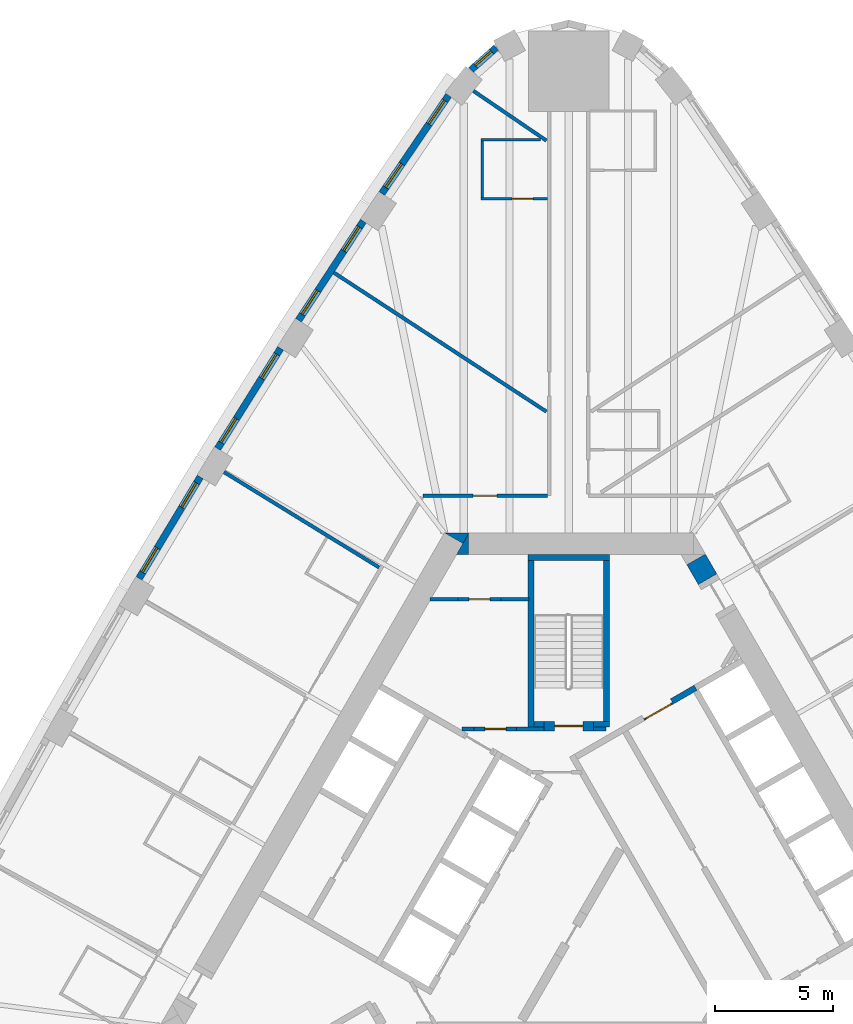
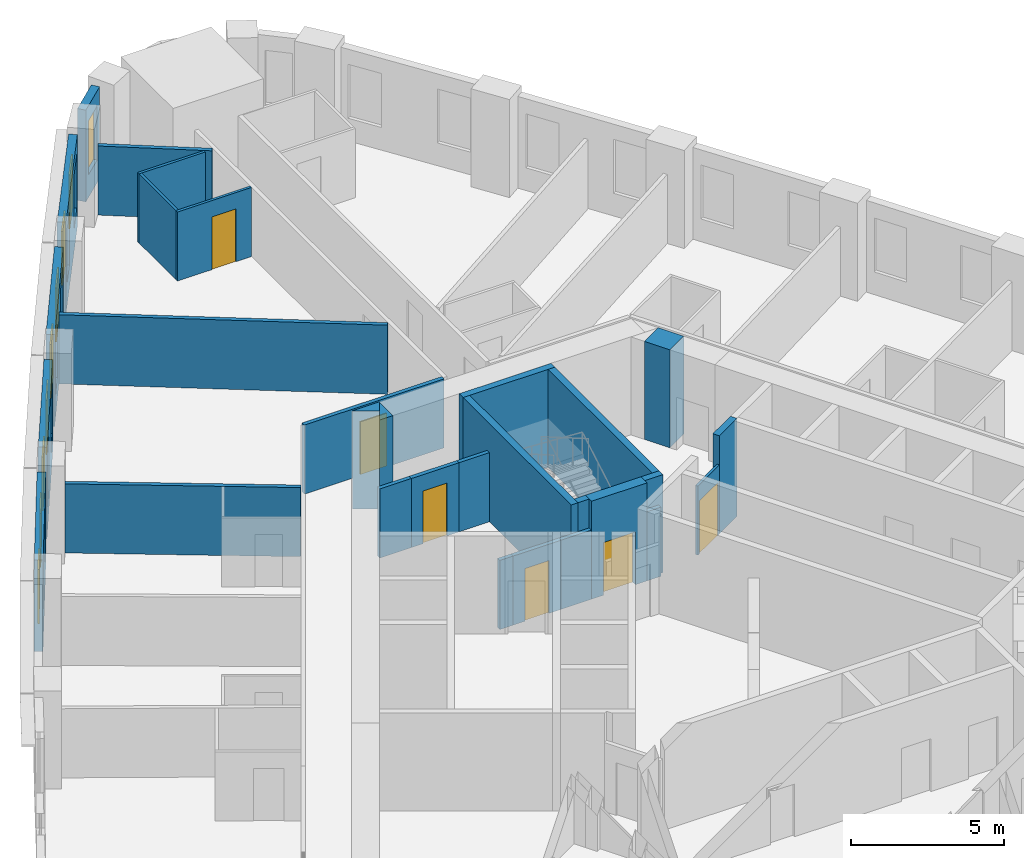
# One storey, part 9 of 12: 30 walls, 9 windows, 6 doors, 15 openings.
"""IFC4 building model written with IfcOpenShell, lengths in metres."""

from ifc_helpers import new_model, si_unit, direction, frame, frame_2d, origin, place, context, subcontext, project, spatial, polyline, rectangle, outline, extrude, material, layer, layer_set, type_object, element, fill, save


model = new_model("IFC4")

# Units and contexts
model_context = context("Model", 3, precision=1e-05, world=origin(), true_north=direction((0.0, 1.0)))
body_context = subcontext(model_context, "Body", "Model", "MODEL_VIEW")
ifc_project = project(units=[si_unit("LENGTHUNIT", "METRE"), si_unit("AREAUNIT", "SQUARE_METRE"), si_unit("VOLUMEUNIT", "CUBIC_METRE"), si_unit("PLANEANGLEUNIT", "RADIAN"), si_unit("MASSUNIT", "GRAM", prefix="KILO")], contexts=[model_context])

# Site, building, storey
site_placement = place(None, origin())
site = spatial("IfcSite", under=ifc_project, at=site_placement, CompositionType="ELEMENT")
building_placement = place(site_placement, origin())
building = spatial("IfcBuilding", under=site, at=building_placement, Name="Mestral Congress Tower", CompositionType="ELEMENT")
storey_placement = place(building_placement, frame((0.0, 0.0, 39.300048828125)))
storey = spatial("IfcBuildingStorey", under=building, at=storey_placement, Name="L08", CompositionType="ELEMENT", Elevation=39.300048828125)

# Walls
ifc_material_1 = material(Name="Fire-rated board partition")
ifc_layer_1 = layer(ifc_material_1, 0.14990234375)
ifc_layer_set_1 = layer_set([ifc_layer_1], Name="Fire-rated board partition")
wall_type_1 = type_object("IfcWallType", Name="Core partition 150", PredefinedType="PARTITIONING", material=ifc_layer_set_1)
wall_1_placement = place(storey_placement, frame((-3.99658203125, 8.625244140625, 0.0), z_axis=(0.0, 0.0, 1.0), x_axis=(-1.0, 0.0, 0.0)))
element("IfcWall", 1, at=wall_1_placement, inside=storey, type_object=wall_type_1, Name="L08 core wall", PredefinedType="PARTITIONING", context=body_context, shape_type="SweptSolid", body=[
    extrude(rectangle(XDim=0.502197265625, YDim=0.14990234375, at=frame_2d((0.2509765625, 0.0))), origin(), (0.0, 0.0, 1.0), 2.75),
])
wall_2_placement = place(storey_placement, frame((-2.1962890625, 8.62548828125, 0.0), z_axis=(0.0, 0.0, 1.0), x_axis=(1.0, 0.0, 0.0)))
element("IfcWall", 2, at=wall_2_placement, inside=storey, type_object=wall_type_1, Name="L08 core wall", PredefinedType="PARTITIONING", context=body_context, shape_type="SweptSolid", body=[
    extrude(rectangle(XDim=1.146240234375, YDim=0.14990234375, at=frame_2d((0.5732421875, 0.0))), origin(), (0.0, 0.0, 1.0), 2.75),
])
wall_3_placement = place(storey_placement, frame((-5.85107421875, 14.10205078125, 0.0), z_axis=(0.0, 0.0, 1.0), x_axis=(1.0, 0.0, 0.0)))
element("IfcWall", 3, at=wall_3_placement, inside=storey, type_object=wall_type_1, Name="L08 core wall", PredefinedType="PARTITIONING", context=body_context, shape_type="SweptSolid", body=[
    extrude(rectangle(XDim=1.18017578125, YDim=0.14990234375, at=frame_2d((0.590087890625, 0.0))), origin(), (0.0, 0.0, 1.0), 2.75),
])
wall_4_placement = place(storey_placement, frame((-2.87060546875, 14.10205078125, 0.0), z_axis=(0.0, 0.0, 1.0), x_axis=(1.0, 0.0, 0.0)))
element("IfcWall", 4, at=wall_4_placement, inside=storey, type_object=wall_type_1, Name="L08 core wall", PredefinedType="PARTITIONING", context=body_context, shape_type="SweptSolid", body=[
    extrude(rectangle(XDim=1.195556640625, YDim=0.14990234375, at=frame_2d((0.59765625, 0.0))), origin(), (0.0, 0.0, 1.0), 2.75),
])
wall_5_placement = place(storey_placement, frame((1.050048828125, 8.62548828125, 0.0), z_axis=(0.0, 0.0, 1.0), x_axis=(1.0, 0.0, 0.0)))
element("IfcWall", 5, at=wall_5_placement, inside=storey, type_object=wall_type_1, Name="L08 core wall", PredefinedType="PARTITIONING", context=body_context, shape_type="SweptSolid", body=[
    extrude(rectangle(XDim=0.513916015625, YDim=0.14990234375, at=frame_2d((0.2568359375, 0.0))), origin(), (0.0, 0.0, 1.0), 2.75),
])

# Wall, opening, door
wall_6_placement = place(storey_placement, frame((-2.1962890625, 8.625, 0.0), z_axis=(0.0, 0.0, 1.0), x_axis=(-1.0, 0.0, 0.0)))
wall_6 = element("IfcWall", 6, at=wall_6_placement, inside=storey, type_object=wall_type_1, Name="L08 door wall", PredefinedType="PARTITIONING", context=body_context, shape_type="SweptSolid", body=[
    extrude(rectangle(XDim=1.800048828125, YDim=0.14990234375, at=frame_2d((0.89990234375, 0.0))), origin(), (0.0, 0.0, 1.0), 2.75),
])
opening_1_placement = place(wall_6_placement, frame((0.449951171875, 0.0, 0.0)))
opening_1 = element("IfcOpeningElement", 7, at=opening_1_placement, cuts=wall_6, Name="Opening TD2", PredefinedType="OPENING", context=body_context, shape_type="SweptSolid", body=[
    extrude(rectangle(XDim=0.89990234375, YDim=2.10009765625, at=frame_2d((0.449951171875, 1.050048828125))), frame((0.0, 0.0849609375, 0.0), z_axis=(0.0, -1.0, 0.0), x_axis=(1.0, 0.0, 0.0)), (0.0, 0.0, 1.0), 0.169921875),
])
ifc_material_2 = material(Name="Fire-rated steel door set", Category="steel")
door_type_1 = type_object("IfcDoorType", Name="Core door SR 900x2100", OperationType="SINGLE_SWING_LEFT", PredefinedType="DOOR", material=ifc_material_2)
door_1_placement = place(opening_1_placement, origin())
door_1 = element("IfcDoor", 8, at=door_1_placement, inside=storey, type_object=door_type_1, Name="Door TD2", OperationType="SINGLE_SWING_LEFT", OverallHeight=2.10009765625, OverallWidth=0.89990234375, PredefinedType="DOOR", context=body_context, shape_type="SweptSolid", body=[
    extrude(rectangle(XDim=0.89990234375, YDim=2.10009765625, at=frame_2d((0.449951171875, 1.050048828125))), frame((0.0, 0.02490234375, 0.0), z_axis=(0.0, -1.0, 0.0), x_axis=(1.0, 0.0, 0.0)), (0.0, 0.0, 1.0), 0.050048828125),
])
fill(opening_1, door_1)

wall_7_placement = place(storey_placement, frame((-2.870849609375, 14.10205078125, 0.0), z_axis=(0.0, 0.0, 1.0), x_axis=(-1.0, 0.0, 0.0)))
wall_7 = element("IfcWall", 9, at=wall_7_placement, inside=storey, type_object=wall_type_1, Name="L08 door wall", PredefinedType="PARTITIONING", context=body_context, shape_type="SweptSolid", body=[
    extrude(rectangle(XDim=1.800048828125, YDim=0.14990234375, at=frame_2d((0.89990234375, 0.0))), origin(), (0.0, 0.0, 1.0), 2.75),
])
opening_2_placement = place(wall_7_placement, frame((0.449951171875, 0.0, 0.0)))
opening_2 = element("IfcOpeningElement", 10, at=opening_2_placement, cuts=wall_7, Name="Opening SD-WS2", PredefinedType="OPENING", context=body_context, shape_type="SweptSolid", body=[
    extrude(rectangle(XDim=0.89990234375, YDim=2.10009765625, at=frame_2d((0.449951171875, 1.050048828125))), frame((0.0, 0.0849609375, 0.0), z_axis=(0.0, -1.0, 0.0), x_axis=(1.0, 0.0, 0.0)), (0.0, 0.0, 1.0), 0.169921875),
])
door_2_placement = place(opening_2_placement, origin())
door_2 = element("IfcDoor", 11, at=door_2_placement, inside=storey, type_object=door_type_1, Name="Door SD-WS2", OperationType="SINGLE_SWING_LEFT", OverallHeight=2.10009765625, OverallWidth=0.89990234375, PredefinedType="DOOR", context=body_context, shape_type="SweptSolid", body=[
    extrude(rectangle(XDim=0.89990234375, YDim=2.10009765625, at=frame_2d((0.449951171875, 1.050048828125))), frame((0.0, 0.02490234375, 0.0), z_axis=(0.0, -1.0, 0.0), x_axis=(1.0, 0.0, 0.0)), (0.0, 0.0, 1.0), 0.050048828125),
])
fill(opening_2, door_2)

ifc_layer_2 = layer(ifc_material_1, 0.090087890625)
ifc_layer_set_2 = layer_set([ifc_layer_2], Name="Fire-rated board partition")
wall_type_2 = type_object("IfcWallType", Name="Core partition 150 door-wall 90", PredefinedType="PARTITIONING", material=ifc_layer_set_2)
wall_8_placement = place(storey_placement, frame((3.182861328125, 9.02001953125, 0.0), z_axis=(0.0, 0.0, 1.0), x_axis=(0.866034573852, 0.49998411664, 0.0)))
wall_8 = element("IfcWall", 12, at=wall_8_placement, inside=storey, type_object=wall_type_2, Name="L08 door wall", PredefinedType="PARTITIONING", context=body_context, shape_type="SweptSolid", body=[
    extrude(rectangle(XDim=1.39990234375, YDim=0.090087890625, at=frame_2d((0.699951171875, 0.0))), origin(), (0.0, 0.0, 1.0), 2.75),
])
opening_3_placement = place(wall_8_placement, frame((0.10009765625, 0.0, 0.0)))
opening_3 = element("IfcOpeningElement", 13, at=opening_3_placement, cuts=wall_8, Name="Opening LB1-WL2", PredefinedType="OPENING", context=body_context, shape_type="SweptSolid", body=[
    extrude(rectangle(XDim=1.199951171875, YDim=2.10009765625, at=frame_2d((0.60009765625, 1.050048828125))), frame((0.0, 0.054931640625, 0.0), z_axis=(0.0, -1.0, 0.0), x_axis=(1.0, 0.0, 0.0)), (0.0, 0.0, 1.0), 0.110107421875),
])
door_type_2 = type_object("IfcDoorType", Name="Core door LB 1200x2100", OperationType="SINGLE_SWING_LEFT", PredefinedType="DOOR", material=ifc_material_2)
door_3_placement = place(opening_3_placement, origin())
door_3 = element("IfcDoor", 14, at=door_3_placement, inside=storey, type_object=door_type_2, Name="Door LB1-WL2", OperationType="SINGLE_SWING_LEFT", OverallHeight=2.10009765625, OverallWidth=1.199951171875, PredefinedType="DOOR", context=body_context, shape_type="SweptSolid", body=[
    extrude(rectangle(XDim=1.199951171875, YDim=2.10009765625, at=frame_2d((0.60009765625, 1.050048828125))), frame((0.0, 0.02490234375, 0.0), z_axis=(0.0, -1.0, 0.0), x_axis=(1.0, 0.0, 0.0)), (0.0, 0.0, 1.0), 0.050048828125),
])
fill(opening_3, door_3)

# Walls
ifc_material_3 = material(Name="Concrete C60/75", Category="concrete")
ifc_layer_3 = layer(ifc_material_3, 0.89990234375)
ifc_layer_set_3 = layer_set([ifc_layer_3], Name="Concrete C60/75")
wall_type_3 = type_object("IfcWallType", Name="Core wall RC 900", PredefinedType="SOLIDWALL", material=ifc_layer_set_3)
placement = place(storey_placement, origin())
element("IfcWall", 15, at=placement, inside=storey, type_object=wall_type_3, Name="L08 core wall", PredefinedType="SOLIDWALL", context=body_context, shape_type="SweptSolid", body=[
    extrude(outline(polyline([(-4.214599609375, 16.89990234375), (-4.46875, 16.460205078125), (-5.230712890625, 16.89990234375), (-4.214599609375, 16.89990234375)])), origin(), (0.0, 0.0, 1.0), 3.89990234375),
])
element("IfcWall", 16, at=placement, inside=storey, type_object=wall_type_3, Name="L08 core wall", PredefinedType="SOLIDWALL", context=body_context, shape_type="SweptSolid", body=[
    extrude(outline(polyline([(-4.734375, 16.0), (-4.226318359375, 16.8798828125), (-4.226318359375, 16.0), (-4.734375, 16.0)])), origin(), (0.0, 0.0, 1.0), 3.89990234375),
])
wall_11_placement = place(storey_placement, frame((5.86083984375, 14.94873046875, 0.0), z_axis=(0.0, 0.0, 1.0), x_axis=(-0.50011719232, 0.865957732194, 0.0)))
element("IfcWall", 17, at=wall_11_placement, inside=storey, type_object=wall_type_3, Name="L08 core wall", PredefinedType="SOLIDWALL", context=body_context, shape_type="SweptSolid", body=[
    extrude(rectangle(XDim=0.963623046875, YDim=0.89990234375, at=frame_2d((0.48193359375, 0.0))), origin(), (0.0, 0.0, 1.0), 3.89990234375),
])

# Wall, opening, window
ifc_material_4 = material(Name="Precast concrete C40/50 with limestone facing", Category="masonry")
ifc_layer_4 = layer(ifc_material_4, 0.2900390625)
ifc_layer_set_4 = layer_set([ifc_layer_4], Name="Precast concrete C40/50 with limestone facing")
wall_type_4 = type_object("IfcWallType", Name="Facade stone wall 290", PredefinedType="SOLIDWALL", material=ifc_layer_set_4)
wall_12_placement = place(storey_placement, frame((-3.064453125, 37.395263671875, 0.0), z_axis=(0.0, 0.0, 1.0), x_axis=(-0.749812680302, -0.661650167731, 0.0)))
wall_12 = element("IfcWall", 18, at=wall_12_placement, inside=storey, type_object=wall_type_4, Name="Facade wall K1-3", PredefinedType="SOLIDWALL", context=body_context, shape_type="SweptSolid", body=[
    extrude(rectangle(XDim=1.4150390625, YDim=0.2900390625, at=frame_2d((0.70751953125, 0.0))), origin(), (0.0, 0.0, 1.0), 3.64990234375),
])
opening_4_placement = place(wall_12_placement, frame((0.257568359375, 0.0, 0.89990234375)))
opening_4 = element("IfcOpeningElement", 19, at=opening_4_placement, cuts=wall_12, Name="Opening W3", PredefinedType="OPENING", context=body_context, shape_type="SweptSolid", body=[
    extrude(rectangle(XDim=0.89990234375, YDim=2.14990234375, at=frame_2d((0.449951171875, 1.074951171875))), frame((0.0, 0.155029296875, 0.0), z_axis=(0.0, -1.0, 0.0), x_axis=(1.0, 0.0, 0.0)), (0.0, 0.0, 1.0), 0.31005859375),
])
ifc_material_5 = material(Name="Clear low-emissivity double glazing", Category="glass")
window_type_1 = type_object("IfcWindowType", Name="Facade punched window 900 x 2150 sill 900", PartitioningType="SINGLE_PANEL", PredefinedType="WINDOW", material=ifc_material_5)
window_1_placement = place(opening_4_placement, origin())
window_1 = element("IfcWindow", 20, at=window_1_placement, inside=storey, type_object=window_type_1, Name="Window K1-3", OverallHeight=2.14990234375, OverallWidth=0.89990234375, PartitioningType="SINGLE_PANEL", PredefinedType="WINDOW", context=body_context, shape_type="SweptSolid", body=[
    extrude(rectangle(XDim=0.89990234375, YDim=2.14990234375, at=frame_2d((0.449951171875, 1.074951171875))), frame((0.0, 0.01513671875, 0.0), z_axis=(0.0, -1.0, 0.0), x_axis=(1.0, 0.0, 0.0)), (0.0, 0.0, 1.0), 0.06005859375),
])
fill(opening_4, window_1)

# Wall, openings, windows
wall_13_placement = place(storey_placement, frame((-5.078369140625, 35.37646484375, 0.0), z_axis=(0.0, 0.0, 1.0), x_axis=(-0.562610153679, -0.826722332454, 0.0)))
wall_13 = element("IfcWall", 21, at=wall_13_placement, inside=storey, type_object=wall_type_4, Name="Facade wall F2-00", PredefinedType="SOLIDWALL", context=body_context, shape_type="SweptSolid", body=[
    extrude(rectangle(XDim=5.005615234375, YDim=0.2900390625, at=frame_2d((2.5029296875, 0.0))), origin(), (0.0, 0.0, 1.0), 3.64990234375),
])
opening_5_placement = place(wall_13_placement, frame((0.26513671875, 0.0, 0.89990234375)))
opening_5 = element("IfcOpeningElement", 22, at=opening_5_placement, cuts=wall_13, Name="Opening W1", PredefinedType="OPENING", context=body_context, shape_type="SweptSolid", body=[
    extrude(rectangle(XDim=1.199951171875, YDim=2.14990234375, at=frame_2d((0.60009765625, 1.074951171875))), frame((0.0, 0.155029296875, 0.0), z_axis=(0.0, -1.0, 0.0), x_axis=(1.0, 0.0, 0.0)), (0.0, 0.0, 1.0), 0.31005859375),
])
opening_6_placement = place(wall_13_placement, frame((3.495361328125, 0.0, 0.89990234375)))
opening_6 = element("IfcOpeningElement", 23, at=opening_6_placement, cuts=wall_13, Name="Opening W1", PredefinedType="OPENING", context=body_context, shape_type="SweptSolid", body=[
    extrude(rectangle(XDim=1.199951171875, YDim=2.14990234375, at=frame_2d((0.60009765625, 1.074951171875))), frame((0.0, 0.155029296875, 0.0), z_axis=(0.0, -1.0, 0.0), x_axis=(1.0, 0.0, 0.0)), (0.0, 0.0, 1.0), 0.31005859375),
])
window_type_2 = type_object("IfcWindowType", Name="Facade punched window 1200 x 2150 sill 900", PartitioningType="DOUBLE_PANEL_VERTICAL", PredefinedType="WINDOW", material=ifc_material_5)
window_2_placement = place(opening_5_placement, origin())
window_2 = element("IfcWindow", 24, at=window_2_placement, inside=storey, type_object=window_type_2, Name="Window F2-00a", OverallHeight=2.14990234375, OverallWidth=1.199951171875, PartitioningType="DOUBLE_PANEL_VERTICAL", PredefinedType="WINDOW", context=body_context, shape_type="SweptSolid", body=[
    extrude(rectangle(XDim=1.199951171875, YDim=2.14990234375, at=frame_2d((0.60009765625, 1.074951171875))), frame((0.0, 0.01513671875, 0.0), z_axis=(0.0, -1.0, 0.0), x_axis=(1.0, 0.0, 0.0)), (0.0, 0.0, 1.0), 0.06005859375),
])
fill(opening_5, window_2)
window_3_placement = place(opening_6_placement, origin())
window_3 = element("IfcWindow", 25, at=window_3_placement, inside=storey, type_object=window_type_2, Name="Window F2-00b", OverallHeight=2.14990234375, OverallWidth=1.199951171875, PartitioningType="DOUBLE_PANEL_VERTICAL", PredefinedType="WINDOW", context=body_context, shape_type="SweptSolid", body=[
    extrude(rectangle(XDim=1.199951171875, YDim=2.14990234375, at=frame_2d((0.60009765625, 1.074951171875))), frame((0.0, 0.01513671875, 0.0), z_axis=(0.0, -1.0, 0.0), x_axis=(1.0, 0.0, 0.0)), (0.0, 0.0, 1.0), 0.06005859375),
])
fill(opening_6, window_3)

wall_14_placement = place(storey_placement, frame((-8.675537109375, 30.067626953125, 0.0), z_axis=(0.0, 0.0, 1.0), x_axis=(-0.547204617628, -0.836998868845, 0.0)))
wall_14 = element("IfcWall", 26, at=wall_14_placement, inside=storey, type_object=wall_type_4, Name="Facade wall F2-01", PredefinedType="SOLIDWALL", context=body_context, shape_type="SweptSolid", body=[
    extrude(rectangle(XDim=4.998291015625, YDim=0.2900390625, at=frame_2d((2.4990234375, 0.0))), origin(), (0.0, 0.0, 1.0), 3.64990234375),
])
opening_7_placement = place(wall_14_placement, frame((0.297119140625, 0.0, 0.89990234375)))
opening_7 = element("IfcOpeningElement", 27, at=opening_7_placement, cuts=wall_14, Name="Opening W1", PredefinedType="OPENING", context=body_context, shape_type="SweptSolid", body=[
    extrude(rectangle(XDim=1.199951171875, YDim=2.14990234375, at=frame_2d((0.60009765625, 1.074951171875))), frame((0.0, 0.155029296875, 0.0), z_axis=(0.0, -1.0, 0.0), x_axis=(1.0, 0.0, 0.0)), (0.0, 0.0, 1.0), 0.31005859375),
])
opening_8_placement = place(wall_14_placement, frame((3.501220703125, 0.0, 0.89990234375)))
opening_8 = element("IfcOpeningElement", 28, at=opening_8_placement, cuts=wall_14, Name="Opening W1", PredefinedType="OPENING", context=body_context, shape_type="SweptSolid", body=[
    extrude(rectangle(XDim=1.199951171875, YDim=2.14990234375, at=frame_2d((0.60009765625, 1.074951171875))), frame((0.0, 0.155029296875, 0.0), z_axis=(0.0, -1.0, 0.0), x_axis=(1.0, 0.0, 0.0)), (0.0, 0.0, 1.0), 0.31005859375),
])
window_4_placement = place(opening_7_placement, origin())
window_4 = element("IfcWindow", 29, at=window_4_placement, inside=storey, type_object=window_type_2, Name="Window F2-01a", OverallHeight=2.14990234375, OverallWidth=1.199951171875, PartitioningType="DOUBLE_PANEL_VERTICAL", PredefinedType="WINDOW", context=body_context, shape_type="SweptSolid", body=[
    extrude(rectangle(XDim=1.199951171875, YDim=2.14990234375, at=frame_2d((0.60009765625, 1.074951171875))), frame((0.0, 0.01513671875, 0.0), z_axis=(0.0, -1.0, 0.0), x_axis=(1.0, 0.0, 0.0)), (0.0, 0.0, 1.0), 0.06005859375),
])
fill(opening_7, window_4)
window_5_placement = place(opening_8_placement, origin())
window_5 = element("IfcWindow", 30, at=window_5_placement, inside=storey, type_object=window_type_2, Name="Window F2-01b", OverallHeight=2.14990234375, OverallWidth=1.199951171875, PartitioningType="DOUBLE_PANEL_VERTICAL", PredefinedType="WINDOW", context=body_context, shape_type="SweptSolid", body=[
    extrude(rectangle(XDim=1.199951171875, YDim=2.14990234375, at=frame_2d((0.60009765625, 1.074951171875))), frame((0.0, 0.01513671875, 0.0), z_axis=(0.0, -1.0, 0.0), x_axis=(1.0, 0.0, 0.0)), (0.0, 0.0, 1.0), 0.06005859375),
])
fill(opening_8, window_5)

wall_15_placement = place(storey_placement, frame((-12.169921875, 24.69921875, 0.0), z_axis=(0.0, 0.0, 1.0), x_axis=(-0.531688286542, -0.846940119462, 0.0)))
wall_15 = element("IfcWall", 31, at=wall_15_placement, inside=storey, type_object=wall_type_4, Name="Facade wall F2-02", PredefinedType="SOLIDWALL", context=body_context, shape_type="SweptSolid", body=[
    extrude(rectangle(XDim=4.998291015625, YDim=0.2900390625, at=frame_2d((2.4990234375, 0.0))), origin(), (0.0, 0.0, 1.0), 3.64990234375),
])
opening_9_placement = place(wall_15_placement, frame((0.297119140625, 0.0, 0.89990234375)))
opening_9 = element("IfcOpeningElement", 32, at=opening_9_placement, cuts=wall_15, Name="Opening W1", PredefinedType="OPENING", context=body_context, shape_type="SweptSolid", body=[
    extrude(rectangle(XDim=1.199951171875, YDim=2.14990234375, at=frame_2d((0.60009765625, 1.074951171875))), frame((0.0, 0.155029296875, 0.0), z_axis=(0.0, -1.0, 0.0), x_axis=(1.0, 0.0, 0.0)), (0.0, 0.0, 1.0), 0.31005859375),
])
opening_10_placement = place(wall_15_placement, frame((3.501220703125, 0.0, 0.89990234375)))
opening_10 = element("IfcOpeningElement", 33, at=opening_10_placement, cuts=wall_15, Name="Opening W1", PredefinedType="OPENING", context=body_context, shape_type="SweptSolid", body=[
    extrude(rectangle(XDim=1.199951171875, YDim=2.14990234375, at=frame_2d((0.60009765625, 1.074951171875))), frame((0.0, 0.155029296875, 0.0), z_axis=(0.0, -1.0, 0.0), x_axis=(1.0, 0.0, 0.0)), (0.0, 0.0, 1.0), 0.31005859375),
])
window_6_placement = place(opening_9_placement, origin())
window_6 = element("IfcWindow", 34, at=window_6_placement, inside=storey, type_object=window_type_2, Name="Window F2-02a", OverallHeight=2.14990234375, OverallWidth=1.199951171875, PartitioningType="DOUBLE_PANEL_VERTICAL", PredefinedType="WINDOW", context=body_context, shape_type="SweptSolid", body=[
    extrude(rectangle(XDim=1.199951171875, YDim=2.14990234375, at=frame_2d((0.60009765625, 1.074951171875))), frame((0.0, 0.01513671875, 0.0), z_axis=(0.0, -1.0, 0.0), x_axis=(1.0, 0.0, 0.0)), (0.0, 0.0, 1.0), 0.06005859375),
])
fill(opening_9, window_6)
window_7_placement = place(opening_10_placement, origin())
window_7 = element("IfcWindow", 35, at=window_7_placement, inside=storey, type_object=window_type_2, Name="Window F2-02b", OverallHeight=2.14990234375, OverallWidth=1.199951171875, PartitioningType="DOUBLE_PANEL_VERTICAL", PredefinedType="WINDOW", context=body_context, shape_type="SweptSolid", body=[
    extrude(rectangle(XDim=1.199951171875, YDim=2.14990234375, at=frame_2d((0.60009765625, 1.074951171875))), frame((0.0, 0.01513671875, 0.0), z_axis=(0.0, -1.0, 0.0), x_axis=(1.0, 0.0, 0.0)), (0.0, 0.0, 1.0), 0.06005859375),
])
fill(opening_10, window_7)

wall_16_placement = place(storey_placement, frame((-15.564453125, 19.267333984375, 0.0), z_axis=(0.0, 0.0, 1.0), x_axis=(-0.515938796285, -0.856625448191, 0.0)))
wall_16 = element("IfcWall", 36, at=wall_16_placement, inside=storey, type_object=wall_type_4, Name="Facade wall F2-03", PredefinedType="SOLIDWALL", context=body_context, shape_type="SweptSolid", body=[
    extrude(rectangle(XDim=4.998291015625, YDim=0.2900390625, at=frame_2d((2.4990234375, 0.0))), origin(), (0.0, 0.0, 1.0), 3.64990234375),
])
opening_11_placement = place(wall_16_placement, frame((0.297119140625, 0.0, 0.89990234375)))
opening_11 = element("IfcOpeningElement", 37, at=opening_11_placement, cuts=wall_16, Name="Opening W1", PredefinedType="OPENING", context=body_context, shape_type="SweptSolid", body=[
    extrude(rectangle(XDim=1.199951171875, YDim=2.14990234375, at=frame_2d((0.60009765625, 1.074951171875))), frame((0.0, 0.155029296875, 0.0), z_axis=(0.0, -1.0, 0.0), x_axis=(1.0, 0.0, 0.0)), (0.0, 0.0, 1.0), 0.31005859375),
])
opening_12_placement = place(wall_16_placement, frame((3.501220703125, 0.0, 0.89990234375)))
opening_12 = element("IfcOpeningElement", 38, at=opening_12_placement, cuts=wall_16, Name="Opening W1", PredefinedType="OPENING", context=body_context, shape_type="SweptSolid", body=[
    extrude(rectangle(XDim=1.199951171875, YDim=2.14990234375, at=frame_2d((0.60009765625, 1.074951171875))), frame((0.0, 0.155029296875, 0.0), z_axis=(0.0, -1.0, 0.0), x_axis=(1.0, 0.0, 0.0)), (0.0, 0.0, 1.0), 0.31005859375),
])
window_8_placement = place(opening_11_placement, origin())
window_8 = element("IfcWindow", 39, at=window_8_placement, inside=storey, type_object=window_type_2, Name="Window F2-03a", OverallHeight=2.14990234375, OverallWidth=1.199951171875, PartitioningType="DOUBLE_PANEL_VERTICAL", PredefinedType="WINDOW", context=body_context, shape_type="SweptSolid", body=[
    extrude(rectangle(XDim=1.199951171875, YDim=2.14990234375, at=frame_2d((0.60009765625, 1.074951171875))), frame((0.0, 0.01513671875, 0.0), z_axis=(0.0, -1.0, 0.0), x_axis=(1.0, 0.0, 0.0)), (0.0, 0.0, 1.0), 0.06005859375),
])
fill(opening_11, window_8)
window_9_placement = place(opening_12_placement, origin())
window_9 = element("IfcWindow", 40, at=window_9_placement, inside=storey, type_object=window_type_2, Name="Window F2-03b", OverallHeight=2.14990234375, OverallWidth=1.199951171875, PartitioningType="DOUBLE_PANEL_VERTICAL", PredefinedType="WINDOW", context=body_context, shape_type="SweptSolid", body=[
    extrude(rectangle(XDim=1.199951171875, YDim=2.14990234375, at=frame_2d((0.60009765625, 1.074951171875))), frame((0.0, 0.01513671875, 0.0), z_axis=(0.0, -1.0, 0.0), x_axis=(1.0, 0.0, 0.0)), (0.0, 0.0, 1.0), 0.06005859375),
])
fill(opening_12, window_9)

# Wall, opening, door
ifc_material_6 = material(Name="Gypsum board partition on metal studs with mineral wool", Category="composite")
ifc_layer_5 = layer(ifc_material_6, 0.10009765625)
ifc_layer_set_5 = layer_set([ifc_layer_5], Name="Gypsum board partition on metal studs with mineral wool")
wall_type_5 = type_object("IfcWallType", Name="Hotel partition wall 100", PredefinedType="PARTITIONING", material=ifc_layer_set_5)
wall_17_placement = place(storey_placement, frame((-3.699951171875, 31.008544921875, 0.0), z_axis=(0.0, 0.0, 1.0), x_axis=(1.0, 0.0, 0.0)))
wall_17 = element("IfcWall", 41, at=wall_17_placement, inside=storey, type_object=wall_type_5, Name="L08-h-pod19a", PredefinedType="PARTITIONING", context=body_context, shape_type="SweptSolid", body=[
    extrude(rectangle(XDim=2.800048828125, YDim=0.10009765625, at=frame_2d((1.39990234375, 0.0))), origin(), (0.0, 0.0, 1.0), 2.75),
])
opening_13_placement = place(wall_17_placement, frame((1.300048828125, 0.0, 0.0)))
opening_13 = element("IfcOpeningElement", 42, at=opening_13_placement, cuts=wall_17, Name="Opening H02-031", PredefinedType="OPENING", context=body_context, shape_type="SweptSolid", body=[
    extrude(rectangle(XDim=0.89990234375, YDim=2.10009765625, at=frame_2d((0.449951171875, 1.050048828125))), frame((0.0, 0.06005859375, 0.0), z_axis=(0.0, -1.0, 0.0), x_axis=(1.0, 0.0, 0.0)), (0.0, 0.0, 1.0), 0.1201171875),
])
ifc_material_7 = material(Name="Timber veneer door leaf in timber frame", Category="wood")
door_type_3 = type_object("IfcDoorType", Name="Bathroom door 900", OperationType="SINGLE_SWING_LEFT", PredefinedType="DOOR", material=ifc_material_7)
door_4_placement = place(opening_13_placement, origin())
door_4 = element("IfcDoor", 43, at=door_4_placement, inside=storey, type_object=door_type_3, Name="L08-h-d031", OperationType="SINGLE_SWING_LEFT", OverallHeight=2.10009765625, OverallWidth=0.89990234375, PredefinedType="DOOR", context=body_context, shape_type="SweptSolid", body=[
    extrude(rectangle(XDim=0.89990234375, YDim=2.10009765625, at=frame_2d((0.449951171875, 1.050048828125))), frame((0.0, 0.02490234375, 0.0), z_axis=(0.0, -1.0, 0.0), x_axis=(1.0, 0.0, 0.0)), (0.0, 0.0, 1.0), 0.050048828125),
])
fill(opening_13, door_4)

# Walls
wall_18_placement = place(storey_placement, frame((-3.64990234375, 31.05859375, 0.0), z_axis=(0.0, 0.0, 1.0), x_axis=(0.0, 1.0, 0.0)))
element("IfcWall", 44, at=wall_18_placement, inside=storey, type_object=wall_type_5, Name="L08-h-pod19b", PredefinedType="PARTITIONING", context=body_context, shape_type="SweptSolid", body=[
    extrude(rectangle(XDim=2.39990234375, YDim=0.10009765625, at=frame_2d((1.199951171875, 0.0))), origin(), (0.0, 0.0, 1.0), 2.75),
])
wall_19_placement = place(storey_placement, frame((-1.199951171875, 33.508544921875, 0.0), z_axis=(0.0, 0.0, 1.0), x_axis=(-1.0, 0.0, 0.0)))
element("IfcWall", 45, at=wall_19_placement, inside=storey, type_object=wall_type_5, Name="L08-h-pod19c", PredefinedType="PARTITIONING", context=body_context, shape_type="SweptSolid", body=[
    extrude(rectangle(XDim=2.5, YDim=0.10009765625, at=frame_2d((1.25, 0.0))), origin(), (0.0, 0.0, 1.0), 2.75),
])

# Wall, opening, door
ifc_layer_6 = layer(ifc_material_6, 0.14990234375)
ifc_layer_set_6 = layer_set([ifc_layer_6], Name="Gypsum board partition on metal studs with mineral wool")
wall_type_6 = type_object("IfcWallType", Name="Hotel partition wall 150", PredefinedType="PARTITIONING", material=ifc_layer_set_6)
wall_20_placement = place(storey_placement, frame((-6.1630859375, 18.47509765625, 0.0), z_axis=(0.0, 0.0, 1.0), x_axis=(1.0, 0.0, 0.0)))
wall_20 = element("IfcWall", 46, at=wall_20_placement, inside=storey, type_object=wall_type_6, Name="L08-h-cw07", PredefinedType="PARTITIONING", context=body_context, shape_type="SweptSolid", body=[
    extrude(rectangle(XDim=5.258056640625, YDim=0.14990234375, at=frame_2d((2.62890625, 0.0))), origin(), (0.0, 0.0, 1.0), 2.75),
])
opening_14_placement = place(wall_20_placement, frame((2.129150390625, 0.0, 0.0)))
opening_14 = element("IfcOpeningElement", 47, at=opening_14_placement, cuts=wall_20, Name="Opening H02-032", PredefinedType="OPENING", context=body_context, shape_type="SweptSolid", body=[
    extrude(rectangle(XDim=1.0, YDim=2.10009765625, at=frame_2d((0.5, 1.050048828125))), frame((0.0, 0.0849609375, 0.0), z_axis=(0.0, -1.0, 0.0), x_axis=(1.0, 0.0, 0.0)), (0.0, 0.0, 1.0), 0.169921875),
])
ifc_material_8 = material(Name="Timber veneer door leaf in metal frame", Category="wood")
door_type_4 = type_object("IfcDoorType", Name="Guest room entrance door 1000", OperationType="SINGLE_SWING_LEFT", PredefinedType="DOOR", material=ifc_material_8)
door_5_placement = place(opening_14_placement, origin())
door_5 = element("IfcDoor", 48, at=door_5_placement, inside=storey, type_object=door_type_4, Name="L08-h-d032", OperationType="SINGLE_SWING_RIGHT", OverallHeight=2.10009765625, OverallWidth=1.0, PredefinedType="DOOR", context=body_context, shape_type="SweptSolid", body=[
    extrude(rectangle(XDim=1.0, YDim=2.10009765625, at=frame_2d((0.5, 1.050048828125))), frame((0.0, 0.02490234375, 0.0), z_axis=(0.0, -1.0, 0.0), x_axis=(1.0, 0.0, 0.0)), (0.0, 0.0, 1.0), 0.050048828125),
])
fill(opening_14, door_5)

# Walls
wall_21_placement = place(storey_placement, frame((-14.55810546875, 19.474609375, 0.0), z_axis=(0.0, 0.0, 1.0), x_axis=(0.851829455142, -0.523819223925, 0.0)))
element("IfcWall", 49, at=wall_21_placement, inside=storey, type_object=wall_type_6, Name="L08-h-pw11", PredefinedType="PARTITIONING", context=body_context, shape_type="SweptSolid", body=[
    extrude(rectangle(XDim=7.68798828125, YDim=0.14990234375, at=frame_2d((3.843994140625, 0.0))), origin(), (0.0, 0.0, 1.0), 2.75),
])
wall_22_placement = place(storey_placement, frame((-9.921630859375, 27.896484375, 0.0), z_axis=(0.0, 0.0, 1.0), x_axis=(0.836970816595, -0.547247523675, 0.0)))
element("IfcWall", 50, at=wall_22_placement, inside=storey, type_object=wall_type_6, Name="L08-h-pw12", PredefinedType="PARTITIONING", context=body_context, shape_type="SweptSolid", body=[
    extrude(rectangle(XDim=10.728759765625, YDim=0.14990234375, at=frame_2d((5.3642578125, 0.0))), origin(), (0.0, 0.0, 1.0), 2.75),
])
wall_23_placement = place(storey_placement, frame((-4.02783203125, 35.56884765625, 0.0), z_axis=(0.0, 0.0, 1.0), x_axis=(0.826730622998, -0.562597971021, 0.0)))
element("IfcWall", 51, at=wall_23_placement, inside=storey, type_object=wall_type_6, Name="L08-h-pw13", PredefinedType="PARTITIONING", context=body_context, shape_type="SweptSolid", body=[
    extrude(rectangle(XDim=3.7333984375, YDim=0.14990234375, at=frame_2d((1.86669921875, 0.0))), origin(), (0.0, 0.0, 1.0), 2.75),
])
ifc_layer_7 = layer(ifc_material_3, 0.25)
ifc_layer_set_7 = layer_set([ifc_layer_7], Name="Concrete C60/75")
wall_type_7 = type_object("IfcWallType", Name="Shaft wall RC 250", PredefinedType="SOLIDWALL", material=ifc_layer_set_7)
wall_24_placement = place(storey_placement, frame((4.3583984375, 9.791015625, 0.0), z_axis=(0.0, 0.0, 1.0), x_axis=(0.866079547155, 0.499906209203, 0.0)))
element("IfcWall", 52, at=wall_24_placement, inside=storey, type_object=wall_type_7, Name="L08 core wall", PredefinedType="SOLIDWALL", context=body_context, shape_type="SweptSolid", body=[
    extrude(rectangle(XDim=1.150146484375, YDim=0.25, at=frame_2d((0.5751953125, 0.0))), origin(), (0.0, 0.0, 1.0), 3.89990234375),
])
ifc_layer_8 = layer(ifc_material_3, 0.25)
ifc_layer_set_8 = layer_set([ifc_layer_8], Name="Concrete C60/75")
wall_type_8 = type_object("IfcWallType", Name="Stair wall RC 250", PredefinedType="SOLIDWALL", material=ifc_layer_set_8)
wall_25_placement = place(storey_placement, frame((-1.72509765625, 15.875, 0.0), z_axis=(0.0, 0.0, 1.0), x_axis=(1.0, 0.0, 0.0)))
element("IfcWall", 53, at=wall_25_placement, inside=storey, type_object=wall_type_8, Name="L08 core wall", PredefinedType="SOLIDWALL", context=body_context, shape_type="SweptSolid", body=[
    extrude(rectangle(XDim=3.4501953125, YDim=0.25, at=frame_2d((1.72509765625, 0.0))), origin(), (0.0, 0.0, 1.0), 3.89990234375),
])
wall_26_placement = place(storey_placement, frame((1.60009765625, 8.949951171875, 0.0), z_axis=(0.0, 0.0, 1.0), x_axis=(0.0, 1.0, 0.0)))
element("IfcWall", 54, at=wall_26_placement, inside=storey, type_object=wall_type_8, Name="L08 core wall", PredefinedType="SOLIDWALL", context=body_context, shape_type="SweptSolid", body=[
    extrude(rectangle(XDim=6.800048828125, YDim=0.25, at=frame_2d((3.39990234375, 0.0))), origin(), (0.0, 0.0, 1.0), 3.89990234375),
])
wall_27_placement = place(storey_placement, frame((1.050048828125, 8.824951171875, 0.0), z_axis=(0.0, 0.0, 1.0), x_axis=(1.0, 0.0, 0.0)))
element("IfcWall", 55, at=wall_27_placement, inside=storey, type_object=wall_type_8, Name="L08 core wall", PredefinedType="SOLIDWALL", context=body_context, shape_type="SweptSolid", body=[
    extrude(rectangle(XDim=0.675048828125, YDim=0.25, at=frame_2d((0.33740234375, 0.0))), origin(), (0.0, 0.0, 1.0), 3.89990234375),
])
wall_28_placement = place(storey_placement, frame((-1.60009765625, 8.699951171875, 0.0), z_axis=(0.0, 0.0, 1.0), x_axis=(0.0, 1.0, 0.0)))
element("IfcWall", 56, at=wall_28_placement, inside=storey, type_object=wall_type_8, Name="L08 core wall", PredefinedType="SOLIDWALL", context=body_context, shape_type="SweptSolid", body=[
    extrude(rectangle(XDim=7.050048828125, YDim=0.25, at=frame_2d((3.52490234375, 0.0))), origin(), (0.0, 0.0, 1.0), 3.89990234375),
])
wall_29_placement = place(storey_placement, frame((-1.47509765625, 8.824951171875, 0.0), z_axis=(0.0, 0.0, 1.0), x_axis=(1.0, 0.0, 0.0)))
element("IfcWall", 57, at=wall_29_placement, inside=storey, type_object=wall_type_8, Name="L08 core wall", PredefinedType="SOLIDWALL", context=body_context, shape_type="SweptSolid", body=[
    extrude(rectangle(XDim=0.425048828125, YDim=0.25, at=frame_2d((0.21240234375, 0.0))), origin(), (0.0, 0.0, 1.0), 3.89990234375),
])

# Wall, opening, door
ifc_layer_9 = layer(ifc_material_3, 0.39990234375)
ifc_layer_set_9 = layer_set([ifc_layer_9], Name="Concrete C60/75")
wall_type_9 = type_object("IfcWallType", Name="Stair wall RC 250 door-wall 400", PredefinedType="SOLIDWALL", material=ifc_layer_set_9)
wall_30_placement = place(storey_placement, frame((1.050048828125, 8.75, 0.0), z_axis=(0.0, 0.0, 1.0), x_axis=(-1.0, 0.0, 0.0)))
wall_30 = element("IfcWall", 58, at=wall_30_placement, inside=storey, type_object=wall_type_9, Name="L08 door wall", PredefinedType="SOLIDWALL", context=body_context, shape_type="SweptSolid", body=[
    extrude(rectangle(XDim=2.10009765625, YDim=0.39990234375, at=frame_2d((1.050048828125, 0.0))), origin(), (0.0, 0.0, 1.0), 3.89990234375),
])
opening_15_placement = place(wall_30_placement, frame((0.449951171875, 0.0, 0.0)))
opening_15 = element("IfcOpeningElement", 59, at=opening_15_placement, cuts=wall_30, Name="Opening ST-D2", PredefinedType="OPENING", context=body_context, shape_type="SweptSolid", body=[
    extrude(rectangle(XDim=1.199951171875, YDim=2.10009765625, at=frame_2d((0.60009765625, 1.050048828125))), frame((0.0, 0.2099609375, 0.0), z_axis=(0.0, -1.0, 0.0), x_axis=(1.0, 0.0, 0.0)), (0.0, 0.0, 1.0), 0.419921875),
])
door_type_5 = type_object("IfcDoorType", Name="Core door ST 1200x2100", OperationType="SINGLE_SWING_LEFT", PredefinedType="DOOR", material=ifc_material_2)
door_6_placement = place(opening_15_placement, origin())
door_6 = element("IfcDoor", 60, at=door_6_placement, inside=storey, type_object=door_type_5, Name="Door ST-D2", OperationType="SINGLE_SWING_LEFT", OverallHeight=2.10009765625, OverallWidth=1.199951171875, PredefinedType="DOOR", context=body_context, shape_type="SweptSolid", body=[
    extrude(rectangle(XDim=1.199951171875, YDim=2.10009765625, at=frame_2d((0.60009765625, 1.050048828125))), frame((0.0, 0.02490234375, 0.0), z_axis=(0.0, -1.0, 0.0), x_axis=(1.0, 0.0, 0.0)), (0.0, 0.0, 1.0), 0.050048828125),
])
fill(opening_15, door_6)

save(model, "model.ifc")
